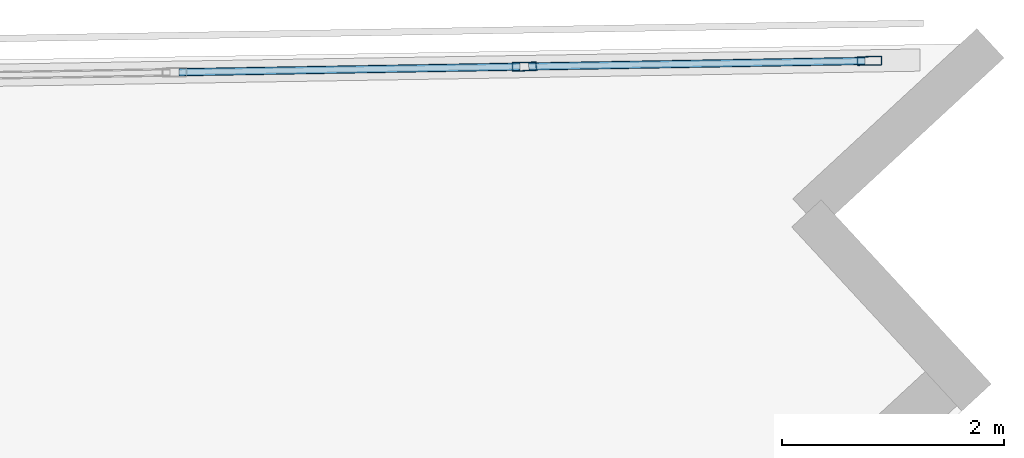
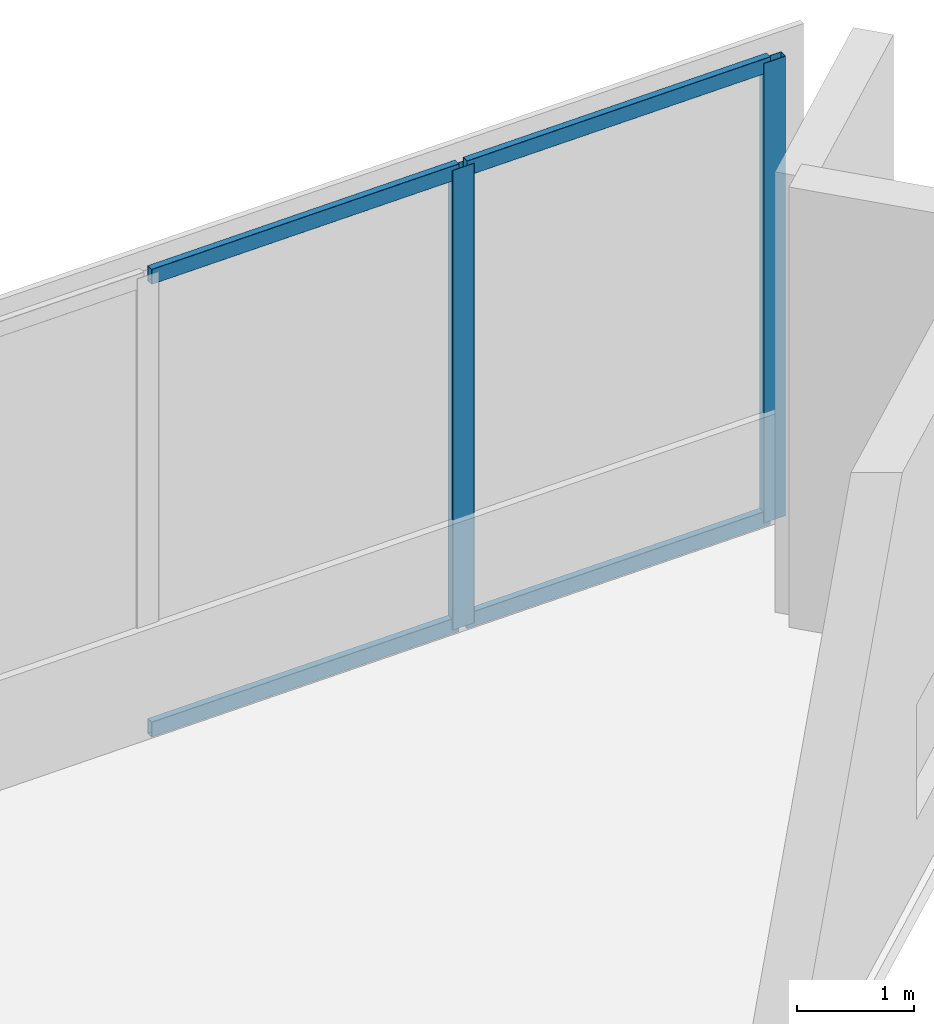
# One storey, part 7 of 12: 6 members, 1 element without a shape of its own.
"""IFC4 building model written with IfcOpenShell, lengths in metres."""

import ifcopenshell
import ifcopenshell.guid

model = None  # the IFC model being written
_history = None  # IfcOwnerHistory: only IFC2X3 demands one
_inside = {}  # id of a spatial element -> (the spatial element, [elements in it])
_under = {}  # id of a project, library or spatial element -> (it, [spatial elements below it])
_declared = {}  # id of a project -> (the project, [libraries it declares])
_typed = {}  # id of a type object -> (the type object, [elements of that type])
_made_of = {}  # id of a material, layer set ... -> (it, [elements and type objects made of it])


def new_model(schema):
    """Start an empty IFC model of exactly this schema.

    Asked for "IFC4X3", IfcOpenShell would pick the latest addendum, in which some entities
    have other attributes; the version numbers below select the first issue.
    IFC2X3 requires an IfcOwnerHistory on every rooted entity: one is made here for all.
    """
    global model, _history
    if schema == "IFC4X3":
        model = ifcopenshell.file(schema_version=(4, 3, 0, 0))
    else:
        model = ifcopenshell.file(schema=schema)
    _inside.clear()
    _under.clear()
    _declared.clear()
    _typed.clear()
    _made_of.clear()
    _history = None
    if model.schema == "IFC2X3":
        org = make("IfcOrganization", Name="unknown")
        user = make(
            "IfcPersonAndOrganization",
            ThePerson=make("IfcPerson", FamilyName="unknown"),
            TheOrganization=org,
        )
        app = make(
            "IfcApplication",
            ApplicationDeveloper=org,
            Version="unknown",
            ApplicationFullName="unknown",
            ApplicationIdentifier="unknown",
        )
        _history = make(
            "IfcOwnerHistory",
            OwningUser=user,
            OwningApplication=app,
            ChangeAction="ADDED",
            CreationDate=0,
        )
    return model


def make(cls, **values):
    """One entity of the class cls with the attributes given. An attribute that is None is left unset."""
    return model.create_entity(
        cls, **{name: value for name, value in values.items() if value is not None}
    )


def rooted(cls, **values):
    """An entity with a GlobalId (a new one), such as an element, a storey or a relation."""
    return make(cls, GlobalId=ifcopenshell.guid.new(), OwnerHistory=_history, **values)


def si_unit(unit_type, name, prefix=None):
    """IfcSIUnit, for example si_unit("LENGTHUNIT", "METRE", prefix="MILLI")."""
    return make("IfcSIUnit", UnitType=unit_type, Prefix=prefix, Name=name)


def assignment(units):
    """IfcUnitAssignment: the units of a project."""
    return None if units is None else make("IfcUnitAssignment", Units=units)


def point(xyz):
    """IfcCartesianPoint."""
    return None if xyz is None else make("IfcCartesianPoint", Coordinates=xyz)


def direction(xyz):
    """IfcDirection."""
    return None if xyz is None else make("IfcDirection", DirectionRatios=xyz)


def frame(location, z_axis=None, x_axis=None):
    """IfcAxis2Placement3D, a coordinate frame: its origin and axes. An axis left out is left unset."""
    return make(
        "IfcAxis2Placement3D",
        Location=point(location),
        Axis=direction(z_axis),
        RefDirection=direction(x_axis),
    )


def frame_2d(location, x_axis=None):
    """IfcAxis2Placement2D, a coordinate frame in the plane: its origin and x axis."""
    return make(
        "IfcAxis2Placement2D", Location=point(location), RefDirection=direction(x_axis)
    )


def origin():
    """The frame at (0, 0, 0) with its axes left unset."""
    return frame((0.0, 0.0, 0.0))


def origin_2d():
    """The frame at (0, 0) in the plane with its x axis left unset."""
    return frame_2d((0.0, 0.0))


def place(relative_to, where):
    """IfcLocalPlacement: puts the frame where relative to a parent placement (None: the world)."""
    return make(
        "IfcLocalPlacement", PlacementRelTo=relative_to, RelativePlacement=where
    )


def context(
    kind, dimensions, precision=None, world=None, true_north=None, identifier=None
):
    """IfcGeometricRepresentationContext, for example the 3D "Model" context."""
    return make(
        "IfcGeometricRepresentationContext",
        ContextIdentifier=identifier,
        ContextType=kind,
        CoordinateSpaceDimension=dimensions,
        Precision=precision,
        WorldCoordinateSystem=world,
        TrueNorth=true_north,
    )


def subcontext(parent, identifier, kind, view, scale=None):
    """IfcGeometricRepresentationSubContext, for example "Body" below "Model"."""
    return make(
        "IfcGeometricRepresentationSubContext",
        ContextIdentifier=identifier,
        ContextType=kind,
        ParentContext=parent,
        TargetScale=scale,
        TargetView=view,
    )


def project(units=None, contexts=None):
    """IfcProject with its units and contexts."""
    return rooted(
        "IfcProject",
        Name="project",
        RepresentationContexts=contexts,
        UnitsInContext=assignment(units),
    )


def spatial(cls, under=None, at=None, **own):
    """A site, building, storey or space (cls), placed at a placement, below another one or the project."""
    s = rooted(cls, ObjectPlacement=at, **own)
    if under is not None:
        _under.setdefault(under.id(), (under, []))[1].append(s)
    return s


def profile(cls, at=None, kind="AREA", **sizes):
    """A parametric profile (cls). Its sizes go by their IFC names, for example OverallWidth=200.0."""
    return make(cls, ProfileType=kind, Position=at, **sizes)


def hollow_rectangle(**sizes):
    """IfcRectangleHollowProfileDef."""
    return profile("IfcRectangleHollowProfileDef", **sizes)


def extrude(swept, where, along, depth):
    """IfcExtrudedAreaSolid: the profile swept, set in the frame where, extruded along a direction by depth."""
    return make(
        "IfcExtrudedAreaSolid",
        SweptArea=swept,
        Position=where,
        ExtrudedDirection=direction(along),
        Depth=depth,
    )


def shape(context_of_items, identifier, shape_type, items):
    """IfcShapeRepresentation: the items that make up one representation, for example the "Body"."""
    return make(
        "IfcShapeRepresentation",
        ContextOfItems=context_of_items,
        RepresentationIdentifier=identifier,
        RepresentationType=shape_type,
        Items=items,
    )


def material(Name=None, Category=None):
    """IfcMaterial."""
    return make("IfcMaterial", Name=Name, Category=Category)


def material_profile(
    of_material, cross_section, Name=None, Category=None, Priority=None
):
    """IfcMaterialProfile: a cross section and its material."""
    return make(
        "IfcMaterialProfile",
        Name=Name,
        Material=of_material,
        Profile=cross_section,
        Priority=Priority,
        Category=Category,
    )


def profile_set(profiles, Name=None, composite=None):
    """IfcMaterialProfileSet."""
    return make(
        "IfcMaterialProfileSet",
        Name=Name,
        MaterialProfiles=profiles,
        CompositeProfile=composite,
    )


def made_of(thing, what):
    """Note that an element or type object is made of a material, layer set ...; save() writes the relation."""
    if what is not None:
        _made_of.setdefault(what.id(), (what, []))[1].append(thing)
    return thing


def type_object(cls, material=None, **own):
    """A type object (cls), such as IfcWallType, which elements share."""
    return made_of(rooted(cls, **own), material)


def element(
    cls,
    number,
    at=None,
    inside=None,
    cuts=None,
    type_object=None,
    material=None,
    context=None,
    identifier="Body",
    shape_type=None,
    held_by="IfcProductDefinitionShape",
    body=None,
    shapes=None,
    **own,
):
    """One element of the class cls, such as IfcWall. Its Tag is "e" and its number.

    at: its placement. inside: the storey or other place that contains it. cuts: it is an
    opening in that element (IfcRelVoidsElement). A single representation is given by context,
    identifier, shape_type and body (its items); several are given by shapes. held_by: the class
    of the entity that holds the representations. save() writes the other relations.
    """
    e = rooted(cls, Tag="e%d" % number, ObjectPlacement=at, **own)
    if body is not None:
        shapes = [shape(context, identifier, shape_type, body)]
    if shapes is not None:
        e.Representation = make(held_by, Representations=shapes)
    if inside is not None:
        _inside.setdefault(inside.id(), (inside, []))[1].append(e)
    if cuts is not None:
        rooted(
            "IfcRelVoidsElement", RelatingBuildingElement=cuts, RelatedOpeningElement=e
        )
    if type_object is not None:
        _typed.setdefault(type_object.id(), (type_object, []))[1].append(e)
    return made_of(e, material)


def aggregate(whole, parts):
    """IfcRelAggregates: a whole, such as a stair, and the parts it consists of."""
    return rooted("IfcRelAggregates", RelatingObject=whole, RelatedObjects=parts)


def save(model, path):
    """Write the relations noted so far, then the file.

    IfcRelAggregates (storeys below a building ...), IfcRelContainedInSpatialStructure (elements
    in a storey), IfcRelDefinesByType, IfcRelAssociatesMaterial and IfcRelDeclares: one each for
    every whole, place, type object, material and project.
    """
    for whole, parts in _under.values():
        aggregate(whole, parts)
    for where, things in _inside.values():
        rooted(
            "IfcRelContainedInSpatialStructure",
            RelatedElements=things,
            RelatingStructure=where,
        )
    for kind, things in _typed.values():
        rooted("IfcRelDefinesByType", RelatedObjects=things, RelatingType=kind)
    for what, things in _made_of.values():
        rooted("IfcRelAssociatesMaterial", RelatedObjects=things, RelatingMaterial=what)
    for by, libraries in _declared.values():
        rooted("IfcRelDeclares", RelatingContext=by, RelatedDefinitions=libraries)
    model.write(path)


model = new_model("IFC4")

# Units and contexts
model_context = context("Model", 3, precision=1e-05, world=origin(), true_north=direction((0.0, 1.0)))
body_context = subcontext(model_context, "Body", "Model", "MODEL_VIEW")
ifc_project = project(units=[si_unit("LENGTHUNIT", "METRE"), si_unit("AREAUNIT", "SQUARE_METRE"), si_unit("VOLUMEUNIT", "CUBIC_METRE"), si_unit("PLANEANGLEUNIT", "RADIAN"), si_unit("MASSUNIT", "GRAM", prefix="KILO")], contexts=[model_context])

# Site, building, storey
site_placement = place(None, origin())
site = spatial("IfcSite", under=ifc_project, at=site_placement, CompositionType="ELEMENT")
building_placement = place(site_placement, origin())
building = spatial("IfcBuilding", under=site, at=building_placement, Name="Narakoshi Arena Tower", CompositionType="ELEMENT")
storey_placement = place(building_placement, frame((0.0, 0.0, 302.97998046875)))
storey = spatial("IfcBuildingStorey", under=building, at=storey_placement, Name="L82", CompositionType="ELEMENT", Elevation=302.97998046875)

# Curtain wall, members
ifc_material = material(Name="Anodised bronze aluminium 6063-T6", Category="aluminium")
curtain_wall_type = type_object("IfcCurtainWallType", Name="CW-CRN-FACET", PredefinedType="NOTDEFINED", material=ifc_material)
curtain_wall_placement = place(storey_placement, origin())
curtain_wall = element("IfcCurtainWall", 1, at=curtain_wall_placement, inside=storey, type_object=curtain_wall_type, Name="L82 Slanted-Cut Crown Curtain Wall 6-1", PredefinedType="NOTDEFINED")
ifc_material_profile_1 = material_profile(ifc_material, hollow_rectangle(XDim=0.080078125, YDim=0.219970703125, WallThickness=0.0048828125, OuterFilletRadius=0.006103515625, at=origin_2d()), Name="MUL220x80x5")
ifc_profile_set_1 = profile_set([ifc_material_profile_1], Name="Anodised bronze aluminium 6063-T6")
member_type_1 = type_object("IfcMemberType", Name="MEM-MUL-220", PredefinedType="MULLION", material=ifc_profile_set_1)
member_1_placement = place(storey_placement, frame((107.7626953125, 64.05419921875, 0.0), z_axis=(0.0, 0.0, 1.0), x_axis=(-0.016446618882, 0.999864745217, 0.0)))
member_1 = element("IfcMember", 2, at=member_1_placement, type_object=member_type_1, Name="CW-06 mullion 9", PredefinedType="MULLION", context=body_context, shape_type="SweptSolid", body=[
    extrude(hollow_rectangle(XDim=0.080078125, YDim=0.219970703125, WallThickness=0.0048828125, OuterFilletRadius=0.006103515625, at=origin_2d()), origin(), (0.0, 0.0, 1.0), 4.800048828125),
])
member_2_placement = place(storey_placement, frame((110.869140625, 64.105224609375, 0.0), z_axis=(0.0, 0.0, 1.0), x_axis=(-0.016446618882, 0.999864745217, 0.0)))
member_2 = element("IfcMember", 3, at=member_2_placement, type_object=member_type_1, Name="CW-06 mullion 10", PredefinedType="MULLION", context=body_context, shape_type="SweptSolid", body=[
    extrude(hollow_rectangle(XDim=0.080078125, YDim=0.219970703125, WallThickness=0.0048828125, OuterFilletRadius=0.006103515625, at=origin_2d()), origin(), (0.0, 0.0, 1.0), 4.800048828125),
])
ifc_material_profile_2 = material_profile(ifc_material, hollow_rectangle(XDim=0.070068359375, YDim=0.159912109375, WallThickness=0.00390625, OuterFilletRadius=0.0048828125, at=origin_2d()), Name="TRN160x70x4")
ifc_profile_set_2 = profile_set([ifc_material_profile_2], Name="Anodised bronze aluminium 6063-T6")
member_type_2 = type_object("IfcMemberType", Name="MEM-TRN-160", PredefinedType="USERDEFINED", material=ifc_profile_set_2)
member_3_placement = place(storey_placement, frame((104.65625, 64.0029296875, 0.034912109375), z_axis=(0.999864217764, 0.016478653907, 0.0), x_axis=(-0.016478653907, 0.999864217764, 0.0)))
member_3 = element("IfcMember", 4, at=member_3_placement, type_object=member_type_2, Name="CW-06 transom 8.1", ObjectType="TRANSOM", PredefinedType="USERDEFINED", context=body_context, shape_type="SweptSolid", body=[
    extrude(hollow_rectangle(XDim=0.070068359375, YDim=0.159912109375, WallThickness=0.00390625, OuterFilletRadius=0.0048828125, at=origin_2d()), origin(), (0.0, 0.0, 1.0), 3.06689453125),
])
member_4_placement = place(storey_placement, frame((104.65625, 64.0029296875, 4.76513671875), z_axis=(0.999864217764, 0.016478653907, 0.0), x_axis=(-0.016478653907, 0.999864217764, 0.0)))
member_4 = element("IfcMember", 5, at=member_4_placement, type_object=member_type_2, Name="CW-06 transom 8.2", ObjectType="TRANSOM", PredefinedType="USERDEFINED", context=body_context, shape_type="SweptSolid", body=[
    extrude(hollow_rectangle(XDim=0.070068359375, YDim=0.159912109375, WallThickness=0.00390625, OuterFilletRadius=0.0048828125, at=origin_2d()), origin(), (0.0, 0.0, 1.0), 3.06689453125),
])
member_5_placement = place(storey_placement, frame((107.802734375, 64.0546875, 0.034912109375), z_axis=(0.999864612366, 0.016454693524, 0.0), x_axis=(-0.016454693524, 0.999864612366, 0.0)))
member_5 = element("IfcMember", 6, at=member_5_placement, type_object=member_type_2, Name="CW-06 transom 9.1", ObjectType="TRANSOM", PredefinedType="USERDEFINED", context=body_context, shape_type="SweptSolid", body=[
    extrude(hollow_rectangle(XDim=0.070068359375, YDim=0.159912109375, WallThickness=0.00390625, OuterFilletRadius=0.0048828125, at=origin_2d()), origin(), (0.0, 0.0, 1.0), 3.02685546875),
])
member_6_placement = place(storey_placement, frame((107.802734375, 64.0546875, 4.76513671875), z_axis=(0.999864612366, 0.016454693524, 0.0), x_axis=(-0.016454693524, 0.999864612366, 0.0)))
member_6 = element("IfcMember", 7, at=member_6_placement, type_object=member_type_2, Name="CW-06 transom 9.2", ObjectType="TRANSOM", PredefinedType="USERDEFINED", context=body_context, shape_type="SweptSolid", body=[
    extrude(hollow_rectangle(XDim=0.070068359375, YDim=0.159912109375, WallThickness=0.00390625, OuterFilletRadius=0.0048828125, at=origin_2d()), origin(), (0.0, 0.0, 1.0), 3.02685546875),
])
aggregate(curtain_wall, [member_1, member_2, member_3, member_4, member_5, member_6])

save(model, "model.ifc")
